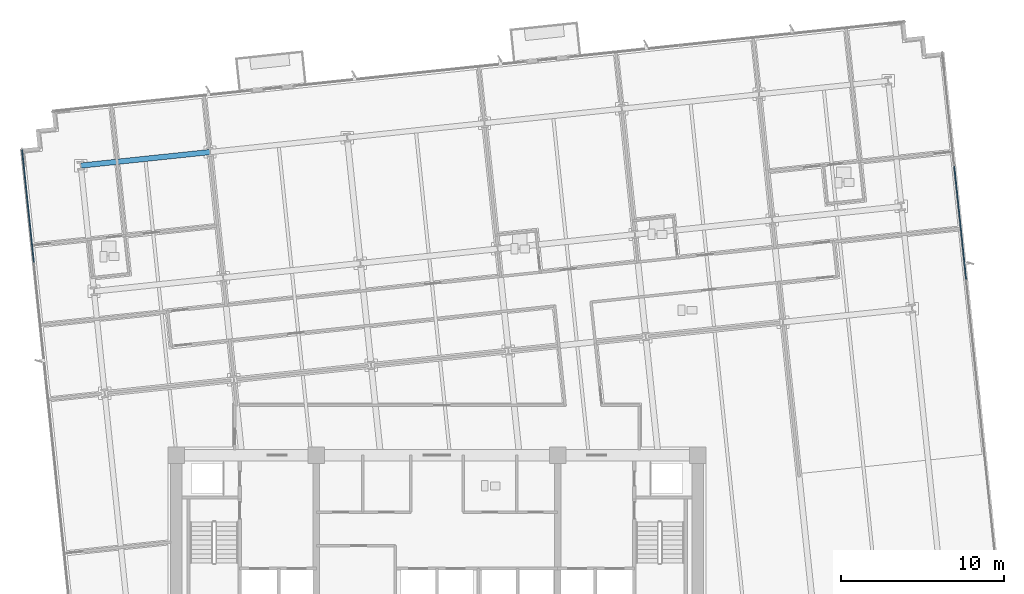
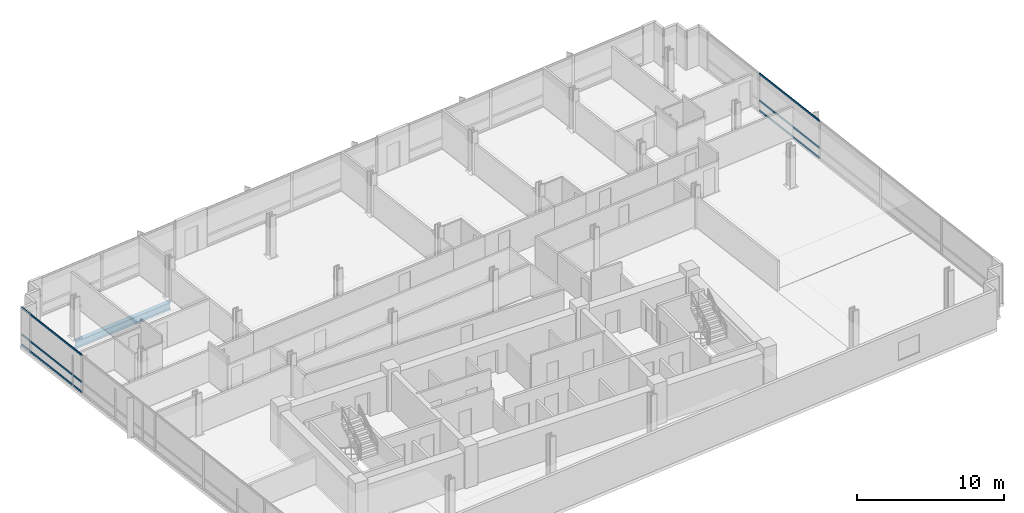
# One storey, part 6 of 18: 6 members, 1 beam, 2 elements without a shape of their own.
"""IFC4 building model written with IfcOpenShell, lengths in metres."""

import ifcopenshell
import ifcopenshell.guid

model = None  # the IFC model being written
_history = None  # IfcOwnerHistory: only IFC2X3 demands one
_inside = {}  # id of a spatial element -> (the spatial element, [elements in it])
_under = {}  # id of a project, library or spatial element -> (it, [spatial elements below it])
_declared = {}  # id of a project -> (the project, [libraries it declares])
_typed = {}  # id of a type object -> (the type object, [elements of that type])
_made_of = {}  # id of a material, layer set ... -> (it, [elements and type objects made of it])


def new_model(schema):
    """Start an empty IFC model of exactly this schema.

    Asked for "IFC4X3", IfcOpenShell would pick the latest addendum, in which some entities
    have other attributes; the version numbers below select the first issue.
    IFC2X3 requires an IfcOwnerHistory on every rooted entity: one is made here for all.
    """
    global model, _history
    if schema == "IFC4X3":
        model = ifcopenshell.file(schema_version=(4, 3, 0, 0))
    else:
        model = ifcopenshell.file(schema=schema)
    _inside.clear()
    _under.clear()
    _declared.clear()
    _typed.clear()
    _made_of.clear()
    _history = None
    if model.schema == "IFC2X3":
        org = make("IfcOrganization", Name="unknown")
        user = make(
            "IfcPersonAndOrganization",
            ThePerson=make("IfcPerson", FamilyName="unknown"),
            TheOrganization=org,
        )
        app = make(
            "IfcApplication",
            ApplicationDeveloper=org,
            Version="unknown",
            ApplicationFullName="unknown",
            ApplicationIdentifier="unknown",
        )
        _history = make(
            "IfcOwnerHistory",
            OwningUser=user,
            OwningApplication=app,
            ChangeAction="ADDED",
            CreationDate=0,
        )
    return model


def make(cls, **values):
    """One entity of the class cls with the attributes given. An attribute that is None is left unset."""
    return model.create_entity(
        cls, **{name: value for name, value in values.items() if value is not None}
    )


def rooted(cls, **values):
    """An entity with a GlobalId (a new one), such as an element, a storey or a relation."""
    return make(cls, GlobalId=ifcopenshell.guid.new(), OwnerHistory=_history, **values)


def si_unit(unit_type, name, prefix=None):
    """IfcSIUnit, for example si_unit("LENGTHUNIT", "METRE", prefix="MILLI")."""
    return make("IfcSIUnit", UnitType=unit_type, Prefix=prefix, Name=name)


def assignment(units):
    """IfcUnitAssignment: the units of a project."""
    return None if units is None else make("IfcUnitAssignment", Units=units)


def point(xyz):
    """IfcCartesianPoint."""
    return None if xyz is None else make("IfcCartesianPoint", Coordinates=xyz)


def direction(xyz):
    """IfcDirection."""
    return None if xyz is None else make("IfcDirection", DirectionRatios=xyz)


def frame(location, z_axis=None, x_axis=None):
    """IfcAxis2Placement3D, a coordinate frame: its origin and axes. An axis left out is left unset."""
    return make(
        "IfcAxis2Placement3D",
        Location=point(location),
        Axis=direction(z_axis),
        RefDirection=direction(x_axis),
    )


def frame_2d(location, x_axis=None):
    """IfcAxis2Placement2D, a coordinate frame in the plane: its origin and x axis."""
    return make(
        "IfcAxis2Placement2D", Location=point(location), RefDirection=direction(x_axis)
    )


def origin():
    """The frame at (0, 0, 0) with its axes left unset."""
    return frame((0.0, 0.0, 0.0))


def origin_2d():
    """The frame at (0, 0) in the plane with its x axis left unset."""
    return frame_2d((0.0, 0.0))


def place(relative_to, where):
    """IfcLocalPlacement: puts the frame where relative to a parent placement (None: the world)."""
    return make(
        "IfcLocalPlacement", PlacementRelTo=relative_to, RelativePlacement=where
    )


def context(
    kind, dimensions, precision=None, world=None, true_north=None, identifier=None
):
    """IfcGeometricRepresentationContext, for example the 3D "Model" context."""
    return make(
        "IfcGeometricRepresentationContext",
        ContextIdentifier=identifier,
        ContextType=kind,
        CoordinateSpaceDimension=dimensions,
        Precision=precision,
        WorldCoordinateSystem=world,
        TrueNorth=true_north,
    )


def subcontext(parent, identifier, kind, view, scale=None):
    """IfcGeometricRepresentationSubContext, for example "Body" below "Model"."""
    return make(
        "IfcGeometricRepresentationSubContext",
        ContextIdentifier=identifier,
        ContextType=kind,
        ParentContext=parent,
        TargetScale=scale,
        TargetView=view,
    )


def project(units=None, contexts=None):
    """IfcProject with its units and contexts."""
    return rooted(
        "IfcProject",
        Name="project",
        RepresentationContexts=contexts,
        UnitsInContext=assignment(units),
    )


def spatial(cls, under=None, at=None, **own):
    """A site, building, storey or space (cls), placed at a placement, below another one or the project."""
    s = rooted(cls, ObjectPlacement=at, **own)
    if under is not None:
        _under.setdefault(under.id(), (under, []))[1].append(s)
    return s


def profile(cls, at=None, kind="AREA", **sizes):
    """A parametric profile (cls). Its sizes go by their IFC names, for example OverallWidth=200.0."""
    return make(cls, ProfileType=kind, Position=at, **sizes)


def rectangle(**sizes):
    """IfcRectangleProfileDef."""
    return profile("IfcRectangleProfileDef", **sizes)


def i_section(**sizes):
    """IfcIShapeProfileDef."""
    return profile("IfcIShapeProfileDef", **sizes)


def extrude(swept, where, along, depth):
    """IfcExtrudedAreaSolid: the profile swept, set in the frame where, extruded along a direction by depth."""
    return make(
        "IfcExtrudedAreaSolid",
        SweptArea=swept,
        Position=where,
        ExtrudedDirection=direction(along),
        Depth=depth,
    )


def shape(context_of_items, identifier, shape_type, items):
    """IfcShapeRepresentation: the items that make up one representation, for example the "Body"."""
    return make(
        "IfcShapeRepresentation",
        ContextOfItems=context_of_items,
        RepresentationIdentifier=identifier,
        RepresentationType=shape_type,
        Items=items,
    )


def material(Name=None, Category=None):
    """IfcMaterial."""
    return make("IfcMaterial", Name=Name, Category=Category)


def material_profile(
    of_material, cross_section, Name=None, Category=None, Priority=None
):
    """IfcMaterialProfile: a cross section and its material."""
    return make(
        "IfcMaterialProfile",
        Name=Name,
        Material=of_material,
        Profile=cross_section,
        Priority=Priority,
        Category=Category,
    )


def profile_set(profiles, Name=None, composite=None):
    """IfcMaterialProfileSet."""
    return make(
        "IfcMaterialProfileSet",
        Name=Name,
        MaterialProfiles=profiles,
        CompositeProfile=composite,
    )


def made_of(thing, what):
    """Note that an element or type object is made of a material, layer set ...; save() writes the relation."""
    if what is not None:
        _made_of.setdefault(what.id(), (what, []))[1].append(thing)
    return thing


def type_object(cls, material=None, **own):
    """A type object (cls), such as IfcWallType, which elements share."""
    return made_of(rooted(cls, **own), material)


def element(
    cls,
    number,
    at=None,
    inside=None,
    cuts=None,
    type_object=None,
    material=None,
    context=None,
    identifier="Body",
    shape_type=None,
    held_by="IfcProductDefinitionShape",
    body=None,
    shapes=None,
    **own,
):
    """One element of the class cls, such as IfcWall. Its Tag is "e" and its number.

    at: its placement. inside: the storey or other place that contains it. cuts: it is an
    opening in that element (IfcRelVoidsElement). A single representation is given by context,
    identifier, shape_type and body (its items); several are given by shapes. held_by: the class
    of the entity that holds the representations. save() writes the other relations.
    """
    e = rooted(cls, Tag="e%d" % number, ObjectPlacement=at, **own)
    if body is not None:
        shapes = [shape(context, identifier, shape_type, body)]
    if shapes is not None:
        e.Representation = make(held_by, Representations=shapes)
    if inside is not None:
        _inside.setdefault(inside.id(), (inside, []))[1].append(e)
    if cuts is not None:
        rooted(
            "IfcRelVoidsElement", RelatingBuildingElement=cuts, RelatedOpeningElement=e
        )
    if type_object is not None:
        _typed.setdefault(type_object.id(), (type_object, []))[1].append(e)
    return made_of(e, material)


def aggregate(whole, parts):
    """IfcRelAggregates: a whole, such as a stair, and the parts it consists of."""
    return rooted("IfcRelAggregates", RelatingObject=whole, RelatedObjects=parts)


def save(model, path):
    """Write the relations noted so far, then the file.

    IfcRelAggregates (storeys below a building ...), IfcRelContainedInSpatialStructure (elements
    in a storey), IfcRelDefinesByType, IfcRelAssociatesMaterial and IfcRelDeclares: one each for
    every whole, place, type object, material and project.
    """
    for whole, parts in _under.values():
        aggregate(whole, parts)
    for where, things in _inside.values():
        rooted(
            "IfcRelContainedInSpatialStructure",
            RelatedElements=things,
            RelatingStructure=where,
        )
    for kind, things in _typed.values():
        rooted("IfcRelDefinesByType", RelatedObjects=things, RelatingType=kind)
    for what, things in _made_of.values():
        rooted("IfcRelAssociatesMaterial", RelatedObjects=things, RelatingMaterial=what)
    for by, libraries in _declared.values():
        rooted("IfcRelDeclares", RelatingContext=by, RelatedDefinitions=libraries)
    model.write(path)


model = new_model("IFC4")

# Units and contexts
model_context = context("Model", 3, precision=1e-05, world=origin(), true_north=direction((0.0, 1.0)))
body_context = subcontext(model_context, "Body", "Model", "MODEL_VIEW")
ifc_project = project(units=[si_unit("LENGTHUNIT", "METRE"), si_unit("AREAUNIT", "SQUARE_METRE"), si_unit("VOLUMEUNIT", "CUBIC_METRE"), si_unit("PLANEANGLEUNIT", "RADIAN"), si_unit("MASSUNIT", "GRAM", prefix="KILO")], contexts=[model_context])

# Site, building, storey
site_placement = place(None, origin())
site = spatial("IfcSite", under=ifc_project, at=site_placement, CompositionType="ELEMENT")
building_placement = place(site_placement, origin())
building = spatial("IfcBuilding", under=site, at=building_placement, Name="Solmavex Isthmus Hotel", CompositionType="ELEMENT")
storey_placement = place(building_placement, frame((0.0, 0.0, 123.60009765625)))
storey = spatial("IfcBuildingStorey", under=building, at=storey_placement, Name="L33", CompositionType="ELEMENT", Elevation=123.60009765625)

# Beam
ifc_material_1 = material(Name="Steel ASTM A992 Grade 50", Category="steel")
ifc_material_profile_1 = material_profile(ifc_material_1, i_section(OverallWidth=0.326416015625, OverallDepth=0.621826171875, WebThickness=0.015380859375, FlangeThickness=0.0244140625, FilletRadius=0.01513671875, at=origin_2d()), Name="W24X131")
ifc_profile_set_1 = profile_set([ifc_material_profile_1], Name="Steel ASTM A992 Grade 50")
beam_type = type_object("IfcBeamType", Name="BM-SP-W24X131", PredefinedType="SPANDREL", material=ifc_profile_set_1)
beam_placement = place(storey_placement, frame((-21.851806640625, 15.2587890625, -0.571044921875), z_axis=(0.994523402738, 0.104514120609, 0.0), x_axis=(-0.104514120609, 0.994523402738, 0.0)))
element("IfcBeam", 1, at=beam_placement, inside=storey, type_object=beam_type, Name="Floor Girder L33-UG19", PredefinedType="SPANDREL", context=body_context, shape_type="SweptSolid", body=[
    extrude(i_section(OverallWidth=0.326416015625, OverallDepth=0.621826171875, WebThickness=0.015380859375, FlangeThickness=0.0244140625, FilletRadius=0.01513671875, at=origin_2d()), origin(), (0.0, 0.0, 1.0), 7.968017578125),
])

# Curtain wall, members
ifc_material_2 = material(Name="Aluminium alloy 6063-T6", Category="aluminium")
curtain_wall_type = type_object("IfcCurtainWallType", Name="CW-SYS-03", PredefinedType="NOTDEFINED", material=ifc_material_2)
curtain_wall_1_placement = place(storey_placement, origin())
curtain_wall_1 = element("IfcCurtainWall", 2, at=curtain_wall_1_placement, inside=storey, type_object=curtain_wall_type, Name="Stick Curtain Wall CWL-L33-W1", PredefinedType="NOTDEFINED")
ifc_material_profile_2 = material_profile(ifc_material_2, rectangle(XDim=0.070068359375, YDim=0.139892578125, at=origin_2d()), Name="CWT-70X140")
ifc_profile_set_2 = profile_set([ifc_material_profile_2], Name="Aluminium alloy 6063-T6")
member_type = type_object("IfcMemberType", Name="CW-SYS-03-TRN", PredefinedType="USERDEFINED", material=ifc_profile_set_2)
member_1_placement = place(storey_placement, frame((-24.728759765625, 9.340576171875, 0.06982421875), z_axis=(-0.104539595565, 0.994520725254, 0.0), x_axis=(-0.994520725254, -0.104539595565, 0.0)))
member_1 = element("IfcMember", 3, at=member_1_placement, type_object=member_type, Name="CW-03 transom 5.1", ObjectType="TRANSOM", PredefinedType="USERDEFINED", context=body_context, shape_type="SweptSolid", body=[
    extrude(rectangle(XDim=0.070068359375, YDim=0.139892578125, at=origin_2d()), origin(), (0.0, 0.0, 1.0), 6.9150390625),
])
member_2_placement = place(storey_placement, frame((-24.728759765625, 9.340576171875, 0.89990234375), z_axis=(-0.104539595565, 0.994520725254, 0.0), x_axis=(-0.994520725254, -0.104539595565, 0.0)))
member_2 = element("IfcMember", 4, at=member_2_placement, type_object=member_type, Name="CW-03 transom 5.2", ObjectType="TRANSOM", PredefinedType="USERDEFINED", context=body_context, shape_type="SweptSolid", body=[
    extrude(rectangle(XDim=0.070068359375, YDim=0.139892578125, at=origin_2d()), origin(), (0.0, 0.0, 1.0), 6.9150390625),
])
member_3_placement = place(storey_placement, frame((-24.728759765625, 9.340576171875, 3.119873046875), z_axis=(-0.104539595565, 0.994520725254, 0.0), x_axis=(-0.994520725254, -0.104539595565, 0.0)))
member_3 = element("IfcMember", 5, at=member_3_placement, type_object=member_type, Name="CW-03 transom 5.3", ObjectType="TRANSOM", PredefinedType="USERDEFINED", context=body_context, shape_type="SweptSolid", body=[
    extrude(rectangle(XDim=0.070068359375, YDim=0.139892578125, at=origin_2d()), origin(), (0.0, 0.0, 1.0), 6.9150390625),
])
aggregate(curtain_wall_1, [member_1, member_2, member_3])

curtain_wall_2_placement = place(storey_placement, origin())
curtain_wall_2 = element("IfcCurtainWall", 6, at=curtain_wall_2_placement, inside=storey, type_object=curtain_wall_type, Name="Stick Curtain Wall CWL-L33-E1", PredefinedType="NOTDEFINED")
member_4_placement = place(storey_placement, frame((32.4541015625, 8.2919921875, 0.06982421875), z_axis=(-0.104538500317, 0.994520840381, 0.0), x_axis=(-0.994520840381, -0.104538500317, 0.0)))
member_4 = element("IfcMember", 7, at=member_4_placement, type_object=member_type, Name="CW-03 transom 4.1", ObjectType="TRANSOM", PredefinedType="USERDEFINED", context=body_context, shape_type="SweptSolid", body=[
    extrude(rectangle(XDim=0.070068359375, YDim=0.139892578125, at=origin_2d()), origin(), (0.0, 0.0, 1.0), 6.9501953125),
])
member_5_placement = place(storey_placement, frame((32.4541015625, 8.2919921875, 0.89990234375), z_axis=(-0.104538500317, 0.994520840381, 0.0), x_axis=(-0.994520840381, -0.104538500317, 0.0)))
member_5 = element("IfcMember", 8, at=member_5_placement, type_object=member_type, Name="CW-03 transom 4.2", ObjectType="TRANSOM", PredefinedType="USERDEFINED", context=body_context, shape_type="SweptSolid", body=[
    extrude(rectangle(XDim=0.070068359375, YDim=0.139892578125, at=origin_2d()), origin(), (0.0, 0.0, 1.0), 6.9501953125),
])
member_6_placement = place(storey_placement, frame((32.4541015625, 8.2919921875, 3.119873046875), z_axis=(-0.104538500317, 0.994520840381, 0.0), x_axis=(-0.994520840381, -0.104538500317, 0.0)))
member_6 = element("IfcMember", 9, at=member_6_placement, type_object=member_type, Name="CW-03 transom 4.3", ObjectType="TRANSOM", PredefinedType="USERDEFINED", context=body_context, shape_type="SweptSolid", body=[
    extrude(rectangle(XDim=0.070068359375, YDim=0.139892578125, at=origin_2d()), origin(), (0.0, 0.0, 1.0), 6.9501953125),
])
aggregate(curtain_wall_2, [member_4, member_5, member_6])

save(model, "model.ifc")
